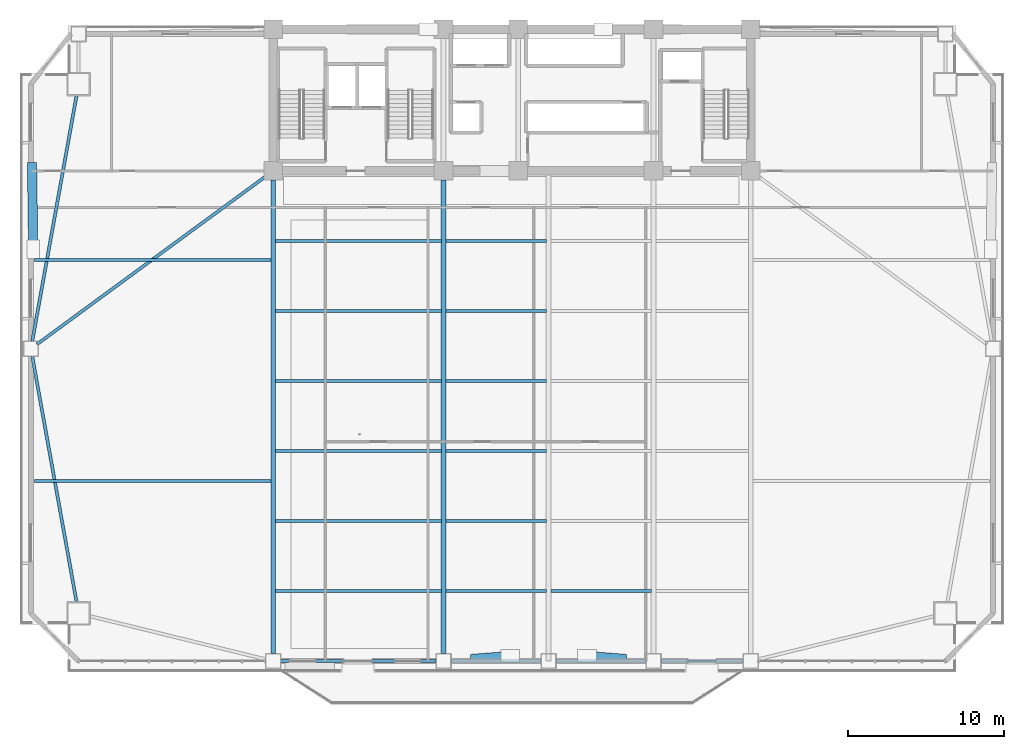
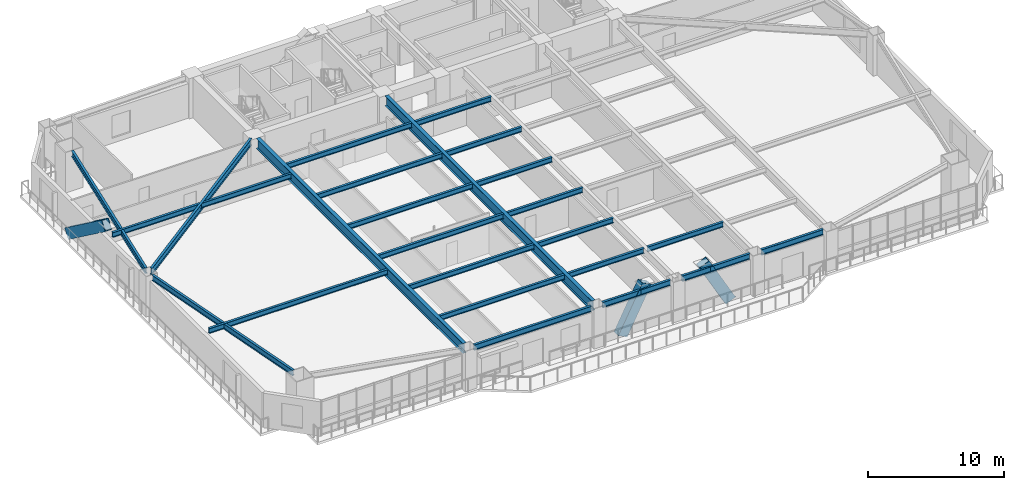
# One storey, part 3 of 16: 24 beams, 3 members.
"""IFC4 building model written with IfcOpenShell, lengths in metres."""

from ifc_helpers import new_model, si_unit, direction, frame, origin, origin_2d, place, context, subcontext, project, spatial, hollow_rectangle, i_section, extrude, source, transform, mapped, material, material_profile, profile_set, type_object, element, save


model = new_model("IFC4")

# Units and contexts
model_context = context("Model", 3, precision=1e-05, world=origin(), true_north=direction((0.0, 1.0)))
body_context = subcontext(model_context, "Body", "Model", "MODEL_VIEW")
ifc_project = project(units=[si_unit("LENGTHUNIT", "METRE"), si_unit("AREAUNIT", "SQUARE_METRE"), si_unit("VOLUMEUNIT", "CUBIC_METRE"), si_unit("PLANEANGLEUNIT", "RADIAN"), si_unit("MASSUNIT", "GRAM", prefix="KILO")], contexts=[model_context])

# Site, building, storey
site_placement = place(None, origin())
site = spatial("IfcSite", under=ifc_project, at=site_placement, CompositionType="ELEMENT")
building_placement = place(site_placement, origin())
building = spatial("IfcBuilding", under=site, at=building_placement, Name="Giltprow Tower", CompositionType="ELEMENT")
storey_placement = place(building_placement, frame((0.0, 0.0, 91.300048828125)))
storey = spatial("IfcBuildingStorey", under=building, at=storey_placement, Name="L22", CompositionType="ELEMENT", Elevation=91.300048828125)

# Beams
ifc_material_1 = material(Name="Structural steel Q355B", Category="steel")
ifc_material_profile_1 = material_profile(ifc_material_1, i_section(OverallWidth=0.199951171875, OverallDepth=0.449951171875, WebThickness=0.009033203125, FlangeThickness=0.013916015625, at=origin_2d()), Name="HN 450x200x9x14")
ifc_profile_set_1 = profile_set([ifc_material_profile_1], Name="Structural steel Q355B")
beam_type_1 = type_object("IfcBeamType", Name="BM-JOIST-HN450", PredefinedType="JOIST", material=ifc_profile_set_1)
shared_shape_1 = source(origin(), body_context, "Body", "SweptSolid", [
    extrude(i_section(OverallWidth=0.199951171875, OverallDepth=0.449951171875, WebThickness=0.009033203125, FlangeThickness=0.013916015625, at=origin_2d()), origin(), (0.0, 0.0, 1.0), 10.659912109375),
])
for number, where, z_axis, x_axis, name in (
    (1, (19.9951171875, 10.43798828125, 3.39501953125), (1.0, 0.0, 0.0), (0.0, 1.0, 0.0), "L22 Composite Floor Joist 1-1"),
    (2, (19.9951171875, 14.93994140625, 3.39501953125), (1.0, 0.0, 0.0), (0.0, 1.0, 0.0), "L22 Composite Floor Joist 2-1"),
    (3, (19.9951171875, 19.44189453125, 3.39501953125), (1.0, 0.0, 0.0), (0.0, 1.0, 0.0), "L22 Composite Floor Joist 3-1"),
    (4, (19.9951171875, 23.944091796875, 3.39501953125), (1.0, 0.0, 0.0), (0.0, 1.0, 0.0), "L22 Composite Floor Joist 4-1"),
    (5, (19.9951171875, 28.446044921875, 3.39501953125), (1.0, 0.0, 0.0), (0.0, 1.0, 0.0), "L22 Composite Floor Joist 5-1"),
    (6, (19.9951171875, 32.947998046875, 3.39501953125), (1.0, 0.0, 0.0), (0.0, 1.0, 0.0), "L22 Composite Floor Joist 6-1"),
):
    element("IfcBeam", number, at=place(storey_placement, frame(where, z_axis=z_axis, x_axis=x_axis)), inside=storey, type_object=beam_type_1, Name=name, PredefinedType="JOIST", context=body_context, shape_type="MappedRepresentation", body=[
        mapped(shared_shape_1, transform((0.0, 0.0, 0.0), x_axis=(1.0, 0.0, 0.0), y_axis=(0.0, 1.0, 0.0), z_axis=(0.0, 0.0, 1.0), scale=1.0)),
    ])
shared_shape_2 = source(origin(), body_context, "Body", "SweptSolid", [
    extrude(i_section(OverallWidth=0.199951171875, OverallDepth=0.449951171875, WebThickness=0.009033203125, FlangeThickness=0.013916015625, at=origin_2d()), origin(), (0.0, 0.0, 1.0), 6.4599609375),
])
for number, where, z_axis, x_axis, name in (
    (7, (30.945068359375, 10.43798828125, 3.39501953125), (1.0, 0.0, 0.0), (0.0, 1.0, 0.0), "L22 Composite Floor Joist 1-2"),
    (8, (37.695068359375, 10.43798828125, 3.39501953125), (1.0, 0.0, 0.0), (0.0, 1.0, 0.0), "L22 Composite Floor Joist 1-3"),
    (9, (30.945068359375, 14.93994140625, 3.39501953125), (1.0, 0.0, 0.0), (0.0, 1.0, 0.0), "L22 Composite Floor Joist 2-2"),
    (10, (30.945068359375, 19.44189453125, 3.39501953125), (1.0, 0.0, 0.0), (0.0, 1.0, 0.0), "L22 Composite Floor Joist 3-2"),
    (11, (30.945068359375, 23.944091796875, 3.39501953125), (1.0, 0.0, 0.0), (0.0, 1.0, 0.0), "L22 Composite Floor Joist 4-2"),
    (12, (30.945068359375, 28.446044921875, 3.39501953125), (1.0, 0.0, 0.0), (0.0, 1.0, 0.0), "L22 Composite Floor Joist 5-2"),
    (13, (30.945068359375, 32.947998046875, 3.39501953125), (1.0, 0.0, 0.0), (0.0, 1.0, 0.0), "L22 Composite Floor Joist 6-2"),
):
    element("IfcBeam", number, at=place(storey_placement, frame(where, z_axis=z_axis, x_axis=x_axis)), inside=storey, type_object=beam_type_1, Name=name, PredefinedType="JOIST", context=body_context, shape_type="MappedRepresentation", body=[
        mapped(shared_shape_2, transform((0.0, 0.0, 0.0), x_axis=(1.0, 0.0, 0.0), y_axis=(0.0, 1.0, 0.0), z_axis=(0.0, 0.0, 1.0), scale=1.0)),
    ])
ifc_material_profile_2 = material_profile(ifc_material_1, i_section(OverallWidth=0.199951171875, OverallDepth=0.5, WebThickness=0.010009765625, FlangeThickness=0.01611328125, at=origin_2d()), Name="HN 500x200x10x16")
ifc_profile_set_2 = profile_set([ifc_material_profile_2], Name="Structural steel Q355B")
beam_type_2 = type_object("IfcBeamType", Name="BM-SPAN-HN500", PredefinedType="SPANDREL", material=ifc_profile_set_2)
shared_shape_3 = source(origin(), body_context, "Body", "SweptSolid", [
    extrude(i_section(OverallWidth=0.199951171875, OverallDepth=0.5, WebThickness=0.010009765625, FlangeThickness=0.01611328125, at=origin_2d()), origin(), (0.0, 0.0, 1.0), 9.97998046875),
])
beam_1_placement = place(storey_placement, frame((20.3349609375, 5.93603515625, 3.369873046875), z_axis=(1.0, 0.0, 0.0), x_axis=(0.0, 1.0, 0.0)))
element("IfcBeam", 14, at=beam_1_placement, inside=storey, type_object=beam_type_2, Name="L22 Perimeter Spandrel Beam S1-S2", PredefinedType="SPANDREL", context=body_context, shape_type="MappedRepresentation", body=[
    mapped(shared_shape_3, transform((0.0, 0.0, 0.0), x_axis=(1.0, 0.0, 0.0), y_axis=(0.0, 1.0, 0.0), z_axis=(0.0, 0.0, 1.0), scale=1.0)),
])
shared_shape_4 = source(origin(), body_context, "Body", "SweptSolid", [
    extrude(i_section(OverallWidth=0.199951171875, OverallDepth=0.5, WebThickness=0.010009765625, FlangeThickness=0.01611328125, at=origin_2d()), origin(), (0.0, 0.0, 1.0), 5.780029296875),
])
for number, where, z_axis, x_axis, name in (
    (15, (31.284912109375, 5.93603515625, 3.369873046875), (1.0, 0.0, 0.0), (0.0, 1.0, 0.0), "L22 Perimeter Spandrel Beam S2-S_MID"),
    (16, (38.034912109375, 5.93603515625, 3.369873046875), (1.0, 0.0, 0.0), (0.0, 1.0, 0.0), "L22 Perimeter Spandrel Beam S_MID-S3"),
):
    element("IfcBeam", number, at=place(storey_placement, frame(where, z_axis=z_axis, x_axis=x_axis)), inside=storey, type_object=beam_type_2, Name=name, PredefinedType="SPANDREL", context=body_context, shape_type="MappedRepresentation", body=[
        mapped(shared_shape_4, transform((0.0, 0.0, 0.0), x_axis=(1.0, 0.0, 0.0), y_axis=(0.0, 1.0, 0.0), z_axis=(0.0, 0.0, 1.0), scale=1.0)),
    ])
shared_shape_5 = source(origin(), body_context, "Body", "SweptSolid", [
    extrude(i_section(OverallWidth=0.199951171875, OverallDepth=0.5, WebThickness=0.010009765625, FlangeThickness=0.01611328125, at=origin_2d()), origin(), (0.0, 0.0, 1.0), 5.280029296875),
])
beam_2_placement = place(storey_placement, frame((44.784912109375, 5.93603515625, 3.369873046875), z_axis=(1.0, 0.0, 0.0), x_axis=(0.0, 1.0, 0.0)))
element("IfcBeam", 17, at=beam_2_placement, inside=storey, type_object=beam_type_2, Name="L22 Perimeter Spandrel Beam S3-S4", PredefinedType="SPANDREL", context=body_context, shape_type="MappedRepresentation", body=[
    mapped(shared_shape_5, transform((0.0, 0.0, 0.0), x_axis=(1.0, 0.0, 0.0), y_axis=(0.0, 1.0, 0.0), z_axis=(0.0, 0.0, 1.0), scale=1.0)),
])
shared_shape_6 = source(origin(), body_context, "Body", "SweptSolid", [
    extrude(i_section(OverallWidth=0.199951171875, OverallDepth=0.5, WebThickness=0.010009765625, FlangeThickness=0.01611328125, at=origin_2d()), origin(), (0.0, 0.0, 1.0), 16.0673828125),
])
beam_3_placement = place(storey_placement, frame((4.361083984375, 25.541015625, 3.369873046875), z_axis=(0.177566852067, -0.984108740459, 0.0), x_axis=(0.984108740459, 0.177566852067, 0.0)))
element("IfcBeam", 18, at=beam_3_placement, inside=storey, type_object=beam_type_2, Name="L22 Perimeter Spandrel Beam W_MID-MC_SW", PredefinedType="SPANDREL", context=body_context, shape_type="MappedRepresentation", body=[
    mapped(shared_shape_6, transform((0.0, 0.0, 0.0), x_axis=(1.0, 0.0, 0.0), y_axis=(0.0, 1.0, 0.0), z_axis=(0.0, 0.0, 1.0), scale=1.0)),
])
shared_shape_7 = source(origin(), body_context, "Body", "SweptSolid", [
    extrude(i_section(OverallWidth=0.199951171875, OverallDepth=0.5, WebThickness=0.010009765625, FlangeThickness=0.01611328125, at=origin_2d()), origin(), (0.0, 0.0, 1.0), 16.067138671875),
])
beam_4_placement = place(storey_placement, frame((7.214111328125, 42.306884765625, 3.369873046875), z_axis=(-0.177569507329, -0.984108261355, 0.0), x_axis=(0.984108261355, -0.177569507329, 0.0)))
element("IfcBeam", 19, at=beam_4_placement, inside=storey, type_object=beam_type_2, Name="L22 Perimeter Spandrel Beam MC_NW-W_MID", PredefinedType="SPANDREL", context=body_context, shape_type="MappedRepresentation", body=[
    mapped(shared_shape_7, transform((0.0, 0.0, 0.0), x_axis=(1.0, 0.0, 0.0), y_axis=(0.0, 1.0, 0.0), z_axis=(0.0, 0.0, 1.0), scale=1.0)),
])
ifc_material_profile_3 = material_profile(ifc_material_1, i_section(OverallWidth=0.300048828125, OverallDepth=0.89990234375, WebThickness=0.01611328125, FlangeThickness=0.028076171875, at=origin_2d()), Name="HN 900x300x16x28")
ifc_profile_set_3 = profile_set([ifc_material_profile_3], Name="Structural steel Q355B")
beam_type_3 = type_object("IfcBeamType", Name="BM-GIRD-HN900", PredefinedType="BEAM", material=ifc_profile_set_3)
shared_shape_8 = source(origin(), body_context, "Body", "SweptSolid", [
    extrude(i_section(OverallWidth=0.300048828125, OverallDepth=0.89990234375, WebThickness=0.01611328125, FlangeThickness=0.028076171875, at=origin_2d()), origin(), (0.0, 0.0, 1.0), 30.444091796875),
])
for number, where, z_axis, x_axis, name in (
    (20, (19.85009765625, 6.4208984375, 3.169921875), (0.0, 1.0, 0.0), (-1.0, 0.0, 0.0), "L22 Primary Lease Girder S1"),
    (21, (30.800048828125, 6.4208984375, 3.169921875), (0.0, 1.0, 0.0), (-1.0, 0.0, 0.0), "L22 Primary Lease Girder S2"),
):
    element("IfcBeam", number, at=place(storey_placement, frame(where, z_axis=z_axis, x_axis=x_axis)), inside=storey, type_object=beam_type_3, Name=name, PredefinedType="BEAM", context=body_context, shape_type="MappedRepresentation", body=[
        mapped(shared_shape_8, transform((0.0, 0.0, 0.0), x_axis=(1.0, 0.0, 0.0), y_axis=(0.0, 1.0, 0.0), z_axis=(0.0, 0.0, 1.0), scale=1.0)),
    ])
ifc_material_profile_4 = material_profile(ifc_material_1, i_section(OverallWidth=0.199951171875, OverallDepth=0.60009765625, WebThickness=0.010986328125, FlangeThickness=0.01708984375, at=origin_2d()), Name="HN 600x200x11x17")
ifc_profile_set_4 = profile_set([ifc_material_profile_4], Name="Structural steel Q355B")
beam_type_4 = type_object("IfcBeamType", Name="BM-GIRD-HN600", PredefinedType="BEAM", material=ifc_profile_set_4)
shared_shape_9 = source(origin(), body_context, "Body", "SweptSolid", [
    extrude(i_section(OverallWidth=0.199951171875, OverallDepth=0.60009765625, WebThickness=0.010986328125, FlangeThickness=0.01708984375, at=origin_2d()), origin(), (0.0, 0.0, 1.0), 18.25),
])
beam_5_placement = place(storey_placement, frame((4.666015625, 26.304931640625, 3.320068359375), z_axis=(0.806134846407, 0.591731872903, 0.0), x_axis=(-0.591731872903, 0.806134846407, 0.0)))
element("IfcBeam", 22, at=beam_5_placement, inside=storey, type_object=beam_type_4, Name="L22 West Wing Primary Girder", PredefinedType="BEAM", context=body_context, shape_type="MappedRepresentation", body=[
    mapped(shared_shape_9, transform((0.0, 0.0, 0.0), x_axis=(1.0, 0.0, 0.0), y_axis=(0.0, 1.0, 0.0), z_axis=(0.0, 0.0, 1.0), scale=1.0)),
])
shared_shape_10 = source(origin(), body_context, "Body", "SweptSolid", [
    extrude(i_section(OverallWidth=0.199951171875, OverallDepth=0.449951171875, WebThickness=0.009033203125, FlangeThickness=0.013916015625, at=origin_2d()), origin(), (0.0, 0.0, 1.0), 15.2099609375),
])
for number, where, z_axis, x_axis, name in (
    (23, (4.4951171875, 17.511962890625, 3.39501953125), (1.0, 0.0, 0.0), (0.0, 1.0, 0.0), "L22 West Wing Floor Joist 1"),
    (24, (4.4951171875, 31.73388671875, 3.39501953125), (1.0, 0.0, 0.0), (0.0, 1.0, 0.0), "L22 West Wing Floor Joist 2"),
):
    element("IfcBeam", number, at=place(storey_placement, frame(where, z_axis=z_axis, x_axis=x_axis)), inside=storey, type_object=beam_type_1, Name=name, PredefinedType="JOIST", context=body_context, shape_type="MappedRepresentation", body=[
        mapped(shared_shape_10, transform((0.0, 0.0, 0.0), x_axis=(1.0, 0.0, 0.0), y_axis=(0.0, 1.0, 0.0), z_axis=(0.0, 0.0, 1.0), scale=1.0)),
    ])

# Members
ifc_material_2 = material(Name="Structural steel Q420GJC", Category="steel")
ifc_material_profile_5 = material_profile(ifc_material_2, hollow_rectangle(XDim=0.60009765625, YDim=0.89990234375, WallThickness=0.0400390625, at=origin_2d()), Name="RHS 900x600x40")
ifc_profile_set_5 = profile_set([ifc_material_profile_5], Name="Structural steel Q420GJC")
member_type = type_object("IfcMemberType", Name="MBR-MEGA-RHS900", PredefinedType="BRACE", material=ifc_profile_set_5)
shared_shape_11 = source(origin(), body_context, "Body", "SweptSolid", [
    extrude(hollow_rectangle(XDim=0.60009765625, YDim=0.89990234375, WallThickness=0.0400390625, at=origin_2d()), origin(), (0.0, 0.0, 1.0), 4.45166015625),
])
for number, where, z_axis, x_axis, name in (
    (25, (32.93994140625, 6.10302734375, 0.0), (0.480749862167, 0.037512309574, 0.876055019195), (-0.0777922882, 0.996969588251, 0.0), "L22 Chevron Mega-Brace S-L"),
    (26, (42.159912109375, 6.10302734375, 0.0), (-0.480707693177, 0.037513298589, 0.876078116465), (-0.077801109813, -0.996968899872, 0.0), "L22 Chevron Mega-Brace S-R"),
):
    element("IfcMember", number, at=place(storey_placement, frame(where, z_axis=z_axis, x_axis=x_axis)), inside=storey, type_object=member_type, Name=name, PredefinedType="BRACE", context=body_context, shape_type="MappedRepresentation", body=[
        mapped(shared_shape_11, transform((0.0, 0.0, 0.0), x_axis=(1.0, 0.0, 0.0), y_axis=(0.0, 1.0, 0.0), z_axis=(0.0, 0.0, 1.0), scale=1.0)),
    ])
shared_shape_12 = source(origin(), body_context, "Body", "SweptSolid", [
    extrude(hollow_rectangle(XDim=0.60009765625, YDim=0.89990234375, WallThickness=0.0400390625, at=origin_2d()), origin(), (0.0, 0.0, 1.0), 6.589599609375),
])
member_placement = place(storey_placement, frame((4.35009765625, 37.718994140625, 0.0), z_axis=(0.011226095809, -0.805981809328, 0.591833843072), x_axis=(0.999903012933, 0.013927122043, 0.0)))
element("IfcMember", 27, at=member_placement, inside=storey, type_object=member_type, Name="L22 Chevron Mega-Brace W-R", PredefinedType="BRACE", context=body_context, shape_type="MappedRepresentation", body=[
    mapped(shared_shape_12, transform((0.0, 0.0, 0.0), x_axis=(1.0, 0.0, 0.0), y_axis=(0.0, 1.0, 0.0), z_axis=(0.0, 0.0, 1.0), scale=1.0)),
])

save(model, "model.ifc")
